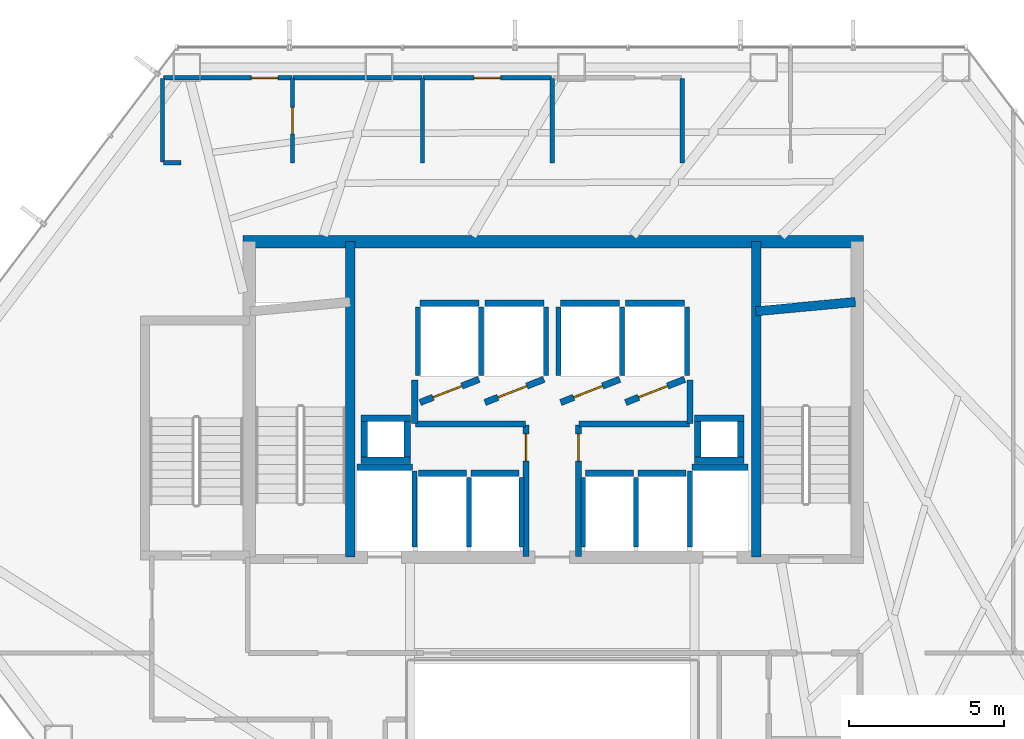
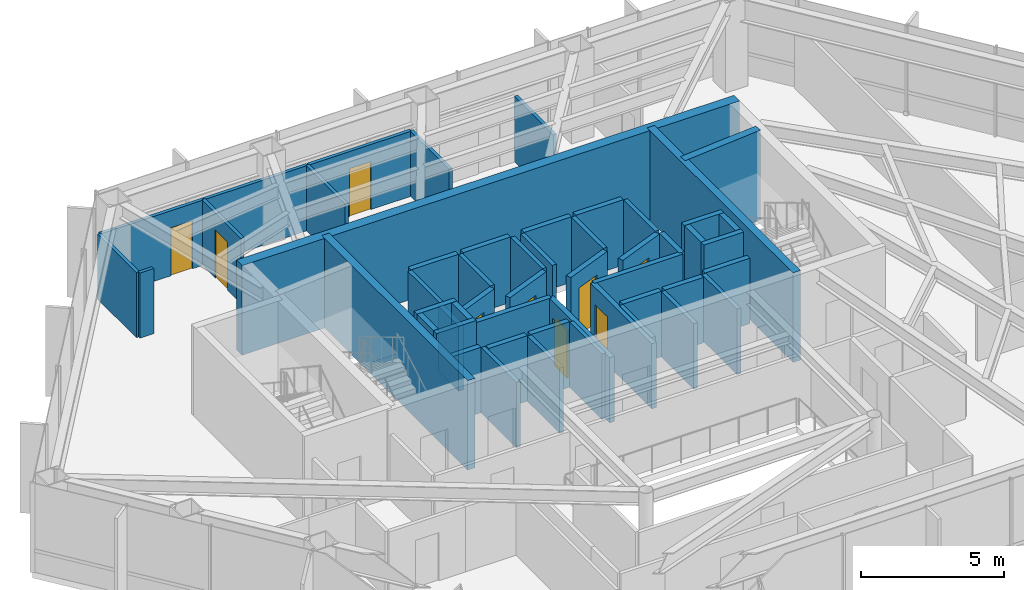
# One storey, part 22 of 24: 53 walls, 9 doors, 9 openings.
"""IFC4 building model written with IfcOpenShell, lengths in metres."""

from ifc_helpers import new_model, si_unit, direction, frame, frame_2d, origin, place, context, subcontext, project, spatial, rectangle, extrude, material, layer, layer_set, type_object, element, fill, save


model = new_model("IFC4")

# Units and contexts
model_context = context("Model", 3, precision=1e-05, world=origin(), true_north=direction((0.0, 1.0)))
body_context = subcontext(model_context, "Body", "Model", "MODEL_VIEW")
ifc_project = project(units=[si_unit("LENGTHUNIT", "METRE"), si_unit("AREAUNIT", "SQUARE_METRE"), si_unit("VOLUMEUNIT", "CUBIC_METRE"), si_unit("PLANEANGLEUNIT", "RADIAN"), si_unit("MASSUNIT", "GRAM", prefix="KILO")], contexts=[model_context])

# Site, building, storey
site_placement = place(None, origin())
site = spatial("IfcSite", under=ifc_project, at=site_placement, CompositionType="ELEMENT")
building_placement = place(site_placement, origin())
building = spatial("IfcBuilding", under=site, at=building_placement, Name="Zarrinselat Tower", CompositionType="ELEMENT")
storey_placement = place(building_placement, frame((0.0, 0.0, 72.419921875)))
storey = spatial("IfcBuildingStorey", under=building, at=storey_placement, Name="L17", CompositionType="ELEMENT", Elevation=72.419921875)

# Wall, opening, door
ifc_material_1 = material(Name="Concrete C40/50", Category="concrete")
ifc_layer_1 = layer(ifc_material_1, 0.199951171875)
ifc_layer_set_1 = layer_set([ifc_layer_1], Name="Concrete C40/50")
wall_type_1 = type_object("IfcWallType", Name="WAL-PART-PLANT", PredefinedType="PARTITIONING", material=ifc_layer_set_1)
wall_1_placement = place(storey_placement, frame((37.550048828125, 33.264892578125, 0.0), z_axis=(0.0, 0.0, 1.0), x_axis=(0.0, 1.0, 0.0)))
wall_1 = element("IfcWall", 1, at=wall_1_placement, inside=storey, type_object=wall_type_1, Name="L17 Partition Wall 1", PredefinedType="PARTITIONING", context=body_context, shape_type="SweptSolid", body=[
    extrude(rectangle(XDim=4.26513671875, YDim=0.199951171875, at=frame_2d((2.132568359375, 0.0))), origin(), (0.0, 0.0, 1.0), 2.777099609375),
])
opening_1_placement = place(wall_1_placement, frame((3.092529296875, 0.0, 0.0)))
opening_1 = element("IfcOpeningElement", 2, at=opening_1_placement, cuts=wall_1, Name="Opening ID-03", PredefinedType="OPENING", context=body_context, shape_type="SweptSolid", body=[
    extrude(rectangle(XDim=0.8798828125, YDim=2.050048828125, at=frame_2d((0.43994140625, 1.02490234375))), frame((0.0, 0.10986328125, 0.0), z_axis=(0.0, -1.0, 0.0), x_axis=(1.0, 0.0, 0.0)), (0.0, 0.0, 1.0), 0.219970703125),
])
ifc_material_2 = material(Name="Steel S355J2", Category="steel")
door_type_1 = type_object("IfcDoorType", Name="DR-INT-FD60-S", OperationType="NOTDEFINED", PredefinedType="DOOR", material=ifc_material_2)
door_1_placement = place(opening_1_placement, origin())
door_1 = element("IfcDoor", 3, at=door_1_placement, inside=storey, type_object=door_type_1, Name="L17 Interior Door P1", OperationType="SINGLE_SWING_LEFT", OverallHeight=2.050048828125, OverallWidth=0.8798828125, PredefinedType="DOOR", context=body_context, shape_type="SweptSolid", body=[
    extrude(rectangle(XDim=0.8798828125, YDim=2.050048828125, at=frame_2d((0.43994140625, 1.02490234375))), frame((0.0, 0.02490234375, 0.0), z_axis=(0.0, -1.0, 0.0), x_axis=(1.0, 0.0, 0.0)), (0.0, 0.0, 1.0), 0.050048828125),
])
fill(opening_1, door_1)

# Walls
wall_2_placement = place(storey_placement, frame((33.969970703125, 37.550048828125, 0.0), z_axis=(0.0, 0.0, 1.0), x_axis=(1.0, 0.0, 0.0)))
element("IfcWall", 4, at=wall_2_placement, inside=storey, type_object=wall_type_1, Name="L17 Partition Wall 2", PredefinedType="PARTITIONING", context=body_context, shape_type="SweptSolid", body=[
    extrude(rectangle(XDim=3.56005859375, YDim=0.199951171875, at=frame_2d((1.780029296875, 0.0))), origin(), (0.0, 0.0, 1.0), 2.777099609375),
])
for number, where, z_axis, x_axis, name in (
    (5, (33.949951171875, 37.570068359375, 0.0), (0.0, 0.0, 1.0), (0.0, 1.0, 0.0), "L17 Partition Wall 3"),
    (6, (42.85009765625, 37.570068359375, 0.0), (0.0, 0.0, 1.0), (0.0, 1.0, 0.0), "L17 Partition Wall 4"),
):
    element("IfcWall", number, at=place(storey_placement, frame(where, z_axis=z_axis, x_axis=x_axis)), inside=storey, type_object=wall_type_1, Name=name, PredefinedType="PARTITIONING", context=body_context, shape_type="SweptSolid", body=[
        extrude(rectangle(XDim=1.4150390625, YDim=0.199951171875, at=frame_2d((0.70751953125, 0.0))), origin(), (0.0, 0.0, 1.0), 2.777099609375),
    ])
wall_3_placement = place(storey_placement, frame((39.27001953125, 37.550048828125, 0.0), z_axis=(0.0, 0.0, 1.0), x_axis=(1.0, 0.0, 0.0)))
element("IfcWall", 7, at=wall_3_placement, inside=storey, type_object=wall_type_1, Name="L17 Partition Wall 5", PredefinedType="PARTITIONING", context=body_context, shape_type="SweptSolid", body=[
    extrude(rectangle(XDim=3.56005859375, YDim=0.199951171875, at=frame_2d((1.780029296875, 0.0))), origin(), (0.0, 0.0, 1.0), 2.777099609375),
])

# Wall, opening, door
wall_4_placement = place(storey_placement, frame((39.25, 33.264892578125, 0.0), z_axis=(0.0, 0.0, 1.0), x_axis=(0.0, 1.0, 0.0)))
wall_4 = element("IfcWall", 8, at=wall_4_placement, inside=storey, type_object=wall_type_1, Name="L17 Partition Wall 6", PredefinedType="PARTITIONING", context=body_context, shape_type="SweptSolid", body=[
    extrude(rectangle(XDim=4.26513671875, YDim=0.199951171875, at=frame_2d((2.132568359375, 0.0))), origin(), (0.0, 0.0, 1.0), 2.777099609375),
])
opening_2_placement = place(wall_4_placement, frame((3.092529296875, 0.0, 0.0)))
opening_2 = element("IfcOpeningElement", 9, at=opening_2_placement, cuts=wall_4, Name="Opening ID-03", PredefinedType="OPENING", context=body_context, shape_type="SweptSolid", body=[
    extrude(rectangle(XDim=0.8798828125, YDim=2.050048828125, at=frame_2d((0.43994140625, 1.02490234375))), frame((0.0, 0.10986328125, 0.0), z_axis=(0.0, -1.0, 0.0), x_axis=(1.0, 0.0, 0.0)), (0.0, 0.0, 1.0), 0.219970703125),
])
door_2_placement = place(opening_2_placement, origin())
door_2 = element("IfcDoor", 10, at=door_2_placement, inside=storey, type_object=door_type_1, Name="L17 Interior Door P6", OperationType="SINGLE_SWING_RIGHT", OverallHeight=2.050048828125, OverallWidth=0.8798828125, PredefinedType="DOOR", context=body_context, shape_type="SweptSolid", body=[
    extrude(rectangle(XDim=0.8798828125, YDim=2.050048828125, at=frame_2d((0.43994140625, 1.02490234375))), frame((0.0, 0.02490234375, 0.0), z_axis=(0.0, -1.0, 0.0), x_axis=(1.0, 0.0, 0.0)), (0.0, 0.0, 1.0), 0.050048828125),
])
fill(opening_2, door_2)

ifc_material_3 = material(Name="Fire-Rated Gypsum Board Partition", Category="gypsum")
ifc_layer_2 = layer(ifc_material_3, 0.135009765625)
ifc_layer_set_2 = layer_set([ifc_layer_2], Name="Fire-Rated Gypsum Board Partition")
wall_type_2 = type_object("IfcWallType", Name="WAL-PART-WET", PredefinedType="PARTITIONING", material=ifc_layer_set_2)
wall_5_placement = place(storey_placement, frame((30.0, 46.0, 0.0), z_axis=(0.0, 0.0, 1.0), x_axis=(0.0, 1.0, 0.0)))
wall_5 = element("IfcWall", 11, at=wall_5_placement, inside=storey, type_object=wall_type_2, Name="L17 Partition Wall 32", PredefinedType="PARTITIONING", context=body_context, shape_type="SweptSolid", body=[
    extrude(rectangle(XDim=2.72998046875, YDim=0.135009765625, at=frame_2d((1.364990234375, 0.0))), origin(), (0.0, 0.0, 1.0), 2.777099609375),
])
opening_3_placement = place(wall_5_placement, frame((0.93505859375, 0.0, 0.0)))
opening_3 = element("IfcOpeningElement", 12, at=opening_3_placement, cuts=wall_5, Name="Opening ID-06", PredefinedType="OPENING", context=body_context, shape_type="SweptSolid", body=[
    extrude(rectangle(XDim=0.860107421875, YDim=2.050048828125, at=frame_2d((0.43017578125, 1.02490234375))), frame((0.0, 0.077392578125, 0.0), z_axis=(0.0, -1.0, 0.0), x_axis=(1.0, 0.0, 0.0)), (0.0, 0.0, 1.0), 0.155029296875),
])
ifc_material_4 = material(Name="Extruded Aluminium Alloy EN AW-6063 T6", Category="aluminium")
door_type_2 = type_object("IfcDoorType", Name="DR-INT-WET-900", OperationType="NOTDEFINED", PredefinedType="DOOR", material=ifc_material_4)
door_3_placement = place(opening_3_placement, origin())
door_3 = element("IfcDoor", 13, at=door_3_placement, inside=storey, type_object=door_type_2, Name="L17 Interior Door P32", OperationType="SINGLE_SWING_RIGHT", OverallHeight=2.050048828125, OverallWidth=0.860107421875, PredefinedType="DOOR", context=body_context, shape_type="SweptSolid", body=[
    extrude(rectangle(XDim=0.860107421875, YDim=2.050048828125, at=frame_2d((0.43017578125, 1.02490234375))), frame((0.0, 0.02490234375, 0.0), z_axis=(0.0, -1.0, 0.0), x_axis=(1.0, 0.0, 0.0)), (0.0, 0.0, 1.0), 0.050048828125),
])
fill(opening_3, door_3)

# Wall
wall_6_placement = place(storey_placement, frame((25.800048828125, 46.02001953125, 0.0), z_axis=(0.0, 0.0, 1.0), x_axis=(0.0, 1.0, 0.0)))
element("IfcWall", 14, at=wall_6_placement, inside=storey, type_object=wall_type_2, Name="L17 Partition Wall 33", PredefinedType="PARTITIONING", context=body_context, shape_type="SweptSolid", body=[
    extrude(rectangle(XDim=2.7099609375, YDim=0.135009765625, at=frame_2d((1.35498046875, 0.0))), origin(), (0.0, 0.0, 1.0), 2.777099609375),
])

# Wall, opening, door
wall_7_placement = place(storey_placement, frame((25.820068359375, 48.75, 0.0), z_axis=(0.0, 0.0, 1.0), x_axis=(1.0, 0.0, 0.0)))
wall_7 = element("IfcWall", 15, at=wall_7_placement, inside=storey, type_object=wall_type_2, Name="L17 Partition Wall 34", PredefinedType="PARTITIONING", context=body_context, shape_type="SweptSolid", body=[
    extrude(rectangle(XDim=4.159912109375, YDim=0.135009765625, at=frame_2d((2.080078125, 0.0))), origin(), (0.0, 0.0, 1.0), 2.777099609375),
])
opening_4_placement = place(wall_7_placement, frame((2.85009765625, 0.0, 0.0)))
opening_4 = element("IfcOpeningElement", 16, at=opening_4_placement, cuts=wall_7, Name="Opening ID-06", PredefinedType="OPENING", context=body_context, shape_type="SweptSolid", body=[
    extrude(rectangle(XDim=0.860107421875, YDim=2.050048828125, at=frame_2d((0.43017578125, 1.02490234375))), frame((0.0, 0.077392578125, 0.0), z_axis=(0.0, -1.0, 0.0), x_axis=(1.0, 0.0, 0.0)), (0.0, 0.0, 1.0), 0.155029296875),
])
door_4_placement = place(opening_4_placement, origin())
door_4 = element("IfcDoor", 17, at=door_4_placement, inside=storey, type_object=door_type_2, Name="L17 Interior Door P34", OperationType="SINGLE_SWING_LEFT", OverallHeight=2.050048828125, OverallWidth=0.860107421875, PredefinedType="DOOR", context=body_context, shape_type="SweptSolid", body=[
    extrude(rectangle(XDim=0.860107421875, YDim=2.050048828125, at=frame_2d((0.43017578125, 1.02490234375))), frame((0.0, 0.02490234375, 0.0), z_axis=(0.0, -1.0, 0.0), x_axis=(1.0, 0.0, 0.0)), (0.0, 0.0, 1.0), 0.050048828125),
])
fill(opening_4, door_4)

# Walls
wall_8_placement = place(storey_placement, frame((25.820068359375, 46.0, 0.0), z_axis=(0.0, 0.0, 1.0), x_axis=(1.0, 0.0, 0.0)))
element("IfcWall", 18, at=wall_8_placement, inside=storey, type_object=wall_type_2, Name="L17 Partition Wall 35", PredefinedType="PARTITIONING", context=body_context, shape_type="SweptSolid", body=[
    extrude(rectangle(XDim=0.570556640625, YDim=0.135009765625, at=frame_2d((0.28515625, 0.0))), origin(), (0.0, 0.0, 1.0), 2.777099609375),
])
wall_9_placement = place(storey_placement, frame((34.199951171875, 46.0, 0.0), z_axis=(0.0, 0.0, 1.0), x_axis=(0.0, 1.0, 0.0)))
element("IfcWall", 19, at=wall_9_placement, inside=storey, type_object=wall_type_2, Name="L17 Partition Wall 36", PredefinedType="PARTITIONING", context=body_context, shape_type="SweptSolid", body=[
    extrude(rectangle(XDim=2.72998046875, YDim=0.135009765625, at=frame_2d((1.364990234375, 0.0))), origin(), (0.0, 0.0, 1.0), 2.777099609375),
])
wall_10_placement = place(storey_placement, frame((30.02001953125, 48.75, 0.0), z_axis=(0.0, 0.0, 1.0), x_axis=(1.0, 0.0, 0.0)))
element("IfcWall", 20, at=wall_10_placement, inside=storey, type_object=wall_type_2, Name="L17 Partition Wall 37", PredefinedType="PARTITIONING", context=body_context, shape_type="SweptSolid", body=[
    extrude(rectangle(XDim=4.159912109375, YDim=0.135009765625, at=frame_2d((2.080078125, 0.0))), origin(), (0.0, 0.0, 1.0), 2.777099609375),
])
wall_11_placement = place(storey_placement, frame((38.39990234375, 46.0, 0.0), z_axis=(0.0, 0.0, 1.0), x_axis=(0.0, 1.0, 0.0)))
element("IfcWall", 21, at=wall_11_placement, inside=storey, type_object=wall_type_2, Name="L17 Partition Wall 38", PredefinedType="PARTITIONING", context=body_context, shape_type="SweptSolid", body=[
    extrude(rectangle(XDim=2.72998046875, YDim=0.135009765625, at=frame_2d((1.364990234375, 0.0))), origin(), (0.0, 0.0, 1.0), 2.777099609375),
])

# Wall, opening, door
wall_12_placement = place(storey_placement, frame((34.219970703125, 48.75, 0.0), z_axis=(0.0, 0.0, 1.0), x_axis=(1.0, 0.0, 0.0)))
wall_12 = element("IfcWall", 22, at=wall_12_placement, inside=storey, type_object=wall_type_2, Name="L17 Partition Wall 39", PredefinedType="PARTITIONING", context=body_context, shape_type="SweptSolid", body=[
    extrude(rectangle(XDim=4.159912109375, YDim=0.135009765625, at=frame_2d((2.080078125, 0.0))), origin(), (0.0, 0.0, 1.0), 2.777099609375),
])
opening_5_placement = place(wall_12_placement, frame((1.64990234375, 0.0, 0.0)))
opening_5 = element("IfcOpeningElement", 23, at=opening_5_placement, cuts=wall_12, Name="Opening ID-06", PredefinedType="OPENING", context=body_context, shape_type="SweptSolid", body=[
    extrude(rectangle(XDim=0.860107421875, YDim=2.050048828125, at=frame_2d((0.43017578125, 1.02490234375))), frame((0.0, 0.077392578125, 0.0), z_axis=(0.0, -1.0, 0.0), x_axis=(1.0, 0.0, 0.0)), (0.0, 0.0, 1.0), 0.155029296875),
])
door_5_placement = place(opening_5_placement, origin())
door_5 = element("IfcDoor", 24, at=door_5_placement, inside=storey, type_object=door_type_2, Name="L17 Interior Door P39", OperationType="SINGLE_SWING_RIGHT", OverallHeight=2.050048828125, OverallWidth=0.860107421875, PredefinedType="DOOR", context=body_context, shape_type="SweptSolid", body=[
    extrude(rectangle(XDim=0.860107421875, YDim=2.050048828125, at=frame_2d((0.43017578125, 1.02490234375))), frame((0.0, 0.02490234375, 0.0), z_axis=(0.0, -1.0, 0.0), x_axis=(1.0, 0.0, 0.0)), (0.0, 0.0, 1.0), 0.050048828125),
])
fill(opening_5, door_5)

# Walls
wall_13_placement = place(storey_placement, frame((42.60009765625, 46.0, 0.0), z_axis=(0.0, 0.0, 1.0), x_axis=(0.0, 1.0, 0.0)))
element("IfcWall", 25, at=wall_13_placement, inside=storey, type_object=wall_type_2, Name="L17 Partition Wall 41", PredefinedType="PARTITIONING", context=body_context, shape_type="SweptSolid", body=[
    extrude(rectangle(XDim=2.72998046875, YDim=0.135009765625, at=frame_2d((1.364990234375, 0.0))), origin(), (0.0, 0.0, 1.0), 2.777099609375),
])
ifc_material_5 = material(Name="Concrete C40/50", Category="concrete")
ifc_layer_3 = layer(ifc_material_5, 0.2099609375)
ifc_layer_set_3 = layer_set([ifc_layer_3], Name="Concrete C40/50")
wall_type_3 = type_object("IfcWallType", Name="WAL-SHAFT-210", PredefinedType="SOLIDWALL", material=ifc_layer_set_3)
wall_14_placement = place(storey_placement, frame((32.080078125, 36.155029296875, 0.0), z_axis=(0.0, 0.0, 1.0), x_axis=(1.0, 0.0, 0.0)))
element("IfcWall", 26, at=wall_14_placement, inside=storey, type_object=wall_type_3, Name="L17 Lift FFL1 North Shaft Wall", PredefinedType="SOLIDWALL", context=body_context, shape_type="SweptSolid", body=[
    extrude(rectangle(XDim=1.7998046875, YDim=0.2099609375, at=frame_2d((0.89990234375, 0.0))), origin(), (0.0, 0.0, 1.0), 2.7919921875),
])
wall_15_placement = place(storey_placement, frame((33.949951171875, 33.580078125, 0.0), z_axis=(0.0, 0.0, 1.0), x_axis=(0.0, 1.0, 0.0)))
element("IfcWall", 27, at=wall_15_placement, inside=storey, type_object=wall_type_3, Name="L17 Lift FFL1 E Shaft Wall", PredefinedType="SOLIDWALL", context=body_context, shape_type="SweptSolid", body=[
    extrude(rectangle(XDim=2.449951171875, YDim=0.159912109375, at=frame_2d((1.22509765625, 0.0))), origin(), (0.0, 0.0, 1.0), 2.7919921875),
])
wall_16_placement = place(storey_placement, frame((42.919921875, 36.155029296875, 0.0), z_axis=(0.0, 0.0, 1.0), x_axis=(1.0, 0.0, 0.0)))
element("IfcWall", 28, at=wall_16_placement, inside=storey, type_object=wall_type_3, Name="L17 Lift FFL2 North Shaft Wall", PredefinedType="SOLIDWALL", context=body_context, shape_type="SweptSolid", body=[
    extrude(rectangle(XDim=1.800048828125, YDim=0.2099609375, at=frame_2d((0.89990234375, 0.0))), origin(), (0.0, 0.0, 1.0), 2.7919921875),
])
wall_17_placement = place(storey_placement, frame((42.85009765625, 33.580078125, 0.0), z_axis=(0.0, 0.0, 1.0), x_axis=(0.0, 1.0, 0.0)))
element("IfcWall", 29, at=wall_17_placement, inside=storey, type_object=wall_type_3, Name="L17 Lift FFL2 W Shaft Wall", PredefinedType="SOLIDWALL", context=body_context, shape_type="SweptSolid", body=[
    extrude(rectangle(XDim=2.449951171875, YDim=0.159912109375, at=frame_2d((1.22509765625, 0.0))), origin(), (0.0, 0.0, 1.0), 2.7919921875),
])

# Wall, opening, door
wall_18_placement = place(storey_placement, frame((34.1201171875, 38.25, 0.0), z_axis=(0.0, 0.0, 1.0), x_axis=(0.930804993012, 0.36551616241, 0.0)))
wall_18 = element("IfcWall", 30, at=wall_18_placement, inside=storey, type_object=wall_type_3, Name="L17 Lift PL1 Front Shaft Wall", PredefinedType="SOLIDWALL", context=body_context, shape_type="SweptSolid", body=[
    extrude(rectangle(XDim=2.052001953125, YDim=0.2099609375, at=frame_2d((1.02587890625, 0.0))), origin(), (0.0, 0.0, 1.0), 2.7919921875),
])
opening_6_placement = place(wall_18_placement, frame((0.455078125, 0.0, 0.0)))
opening_6 = element("IfcOpeningElement", 31, at=opening_6_placement, cuts=wall_18, Name="Opening LD-PL1", PredefinedType="OPENING", context=body_context, shape_type="SweptSolid", body=[
    extrude(rectangle(XDim=1.0, YDim=2.10009765625, at=frame_2d((0.5, 1.050048828125))), frame((0.0, 0.114990234375, 0.0), z_axis=(0.0, -1.0, 0.0), x_axis=(1.0, 0.0, 0.0)), (0.0, 0.0, 1.0), 0.22998046875),
])
ifc_material_6 = material(Name="Steel S355J2", Category="steel")
door_type_3 = type_object("IfcDoorType", Name="DR-LIFT-PS-1000", OperationType="NOTDEFINED", PredefinedType="DOOR", material=ifc_material_6)
door_6_placement = place(opening_6_placement, origin())
door_6 = element("IfcDoor", 32, at=door_6_placement, inside=storey, type_object=door_type_3, Name="L17 Lift PL1 Sliding Landing Door", OperationType="SLIDING_TO_LEFT", OverallHeight=2.10009765625, OverallWidth=1.0, PredefinedType="DOOR", context=body_context, shape_type="SweptSolid", body=[
    extrude(rectangle(XDim=1.0, YDim=2.10009765625, at=frame_2d((0.5, 1.050048828125))), frame((0.0, 0.02490234375, 0.0), z_axis=(0.0, -1.0, 0.0), x_axis=(1.0, 0.0, 0.0)), (0.0, 0.0, 1.0), 0.050048828125),
])
fill(opening_6, door_6)

# Walls
wall_19_placement = place(storey_placement, frame((34.1201171875, 41.455078125, 0.0), z_axis=(0.0, 0.0, 1.0), x_axis=(1.0, 0.0, 0.0)))
element("IfcWall", 33, at=wall_19_placement, inside=storey, type_object=wall_type_3, Name="L17 Lift PL1 Rear Shaft Wall", PredefinedType="SOLIDWALL", context=body_context, shape_type="SweptSolid", body=[
    extrude(rectangle(XDim=1.909912109375, YDim=0.2099609375, at=frame_2d((0.955078125, 0.0))), origin(), (0.0, 0.0, 1.0), 2.7919921875),
])
for number, where, z_axis, x_axis, name in (
    (34, (34.050048828125, 39.1201171875, 0.0), (0.0, 0.0, 1.0), (0.0, 1.0, 0.0), "L17 Lift PL1 W Shaft Wall"),
    (35, (36.10009765625, 39.1201171875, 0.0), (0.0, 0.0, 1.0), (0.0, 1.0, 0.0), "L17 Lift PL1 E Shaft Wall"),
):
    element("IfcWall", number, at=place(storey_placement, frame(where, z_axis=z_axis, x_axis=x_axis)), inside=storey, type_object=wall_type_3, Name=name, PredefinedType="SOLIDWALL", context=body_context, shape_type="SweptSolid", body=[
        extrude(rectangle(XDim=2.2099609375, YDim=0.159912109375, at=frame_2d((1.10498046875, 0.0))), origin(), (0.0, 0.0, 1.0), 2.7919921875),
    ])

# Wall, opening, door
wall_20_placement = place(storey_placement, frame((36.219970703125, 38.25, 0.0), z_axis=(0.0, 0.0, 1.0), x_axis=(0.930804993012, 0.36551616241, 0.0)))
wall_20 = element("IfcWall", 36, at=wall_20_placement, inside=storey, type_object=wall_type_3, Name="L17 Lift PL2 Front Shaft Wall", PredefinedType="SOLIDWALL", context=body_context, shape_type="SweptSolid", body=[
    extrude(rectangle(XDim=2.052001953125, YDim=0.2099609375, at=frame_2d((1.02587890625, 0.0))), origin(), (0.0, 0.0, 1.0), 2.7919921875),
])
opening_7_placement = place(wall_20_placement, frame((0.455078125, 0.0, 0.0)))
opening_7 = element("IfcOpeningElement", 37, at=opening_7_placement, cuts=wall_20, Name="Opening LD-PL2", PredefinedType="OPENING", context=body_context, shape_type="SweptSolid", body=[
    extrude(rectangle(XDim=1.0, YDim=2.10009765625, at=frame_2d((0.5, 1.050048828125))), frame((0.0, 0.114990234375, 0.0), z_axis=(0.0, -1.0, 0.0), x_axis=(1.0, 0.0, 0.0)), (0.0, 0.0, 1.0), 0.22998046875),
])
door_7_placement = place(opening_7_placement, origin())
door_7 = element("IfcDoor", 38, at=door_7_placement, inside=storey, type_object=door_type_3, Name="L17 Lift PL2 Sliding Landing Door", OperationType="SLIDING_TO_RIGHT", OverallHeight=2.10009765625, OverallWidth=1.0, PredefinedType="DOOR", context=body_context, shape_type="SweptSolid", body=[
    extrude(rectangle(XDim=1.0, YDim=2.10009765625, at=frame_2d((0.5, 1.050048828125))), frame((0.0, 0.02490234375, 0.0), z_axis=(0.0, -1.0, 0.0), x_axis=(1.0, 0.0, 0.0)), (0.0, 0.0, 1.0), 0.050048828125),
])
fill(opening_7, door_7)

# Walls
wall_21_placement = place(storey_placement, frame((36.219970703125, 41.455078125, 0.0), z_axis=(0.0, 0.0, 1.0), x_axis=(1.0, 0.0, 0.0)))
element("IfcWall", 39, at=wall_21_placement, inside=storey, type_object=wall_type_3, Name="L17 Lift PL2 Rear Shaft Wall", PredefinedType="SOLIDWALL", context=body_context, shape_type="SweptSolid", body=[
    extrude(rectangle(XDim=1.909912109375, YDim=0.2099609375, at=frame_2d((0.955078125, 0.0))), origin(), (0.0, 0.0, 1.0), 2.7919921875),
])
wall_22_placement = place(storey_placement, frame((38.199951171875, 39.1201171875, 0.0), z_axis=(0.0, 0.0, 1.0), x_axis=(0.0, 1.0, 0.0)))
element("IfcWall", 40, at=wall_22_placement, inside=storey, type_object=wall_type_3, Name="L17 Lift PL2 E Shaft Wall", PredefinedType="SOLIDWALL", context=body_context, shape_type="SweptSolid", body=[
    extrude(rectangle(XDim=2.2099609375, YDim=0.159912109375, at=frame_2d((1.10498046875, 0.0))), origin(), (0.0, 0.0, 1.0), 2.7919921875),
])

# Wall, opening, door
wall_23_placement = place(storey_placement, frame((38.669921875, 38.25, 0.0), z_axis=(0.0, 0.0, 1.0), x_axis=(0.930820886763, 0.3654756856, 0.0)))
wall_23 = element("IfcWall", 41, at=wall_23_placement, inside=storey, type_object=wall_type_3, Name="L17 Lift PL3 Front Shaft Wall", PredefinedType="SOLIDWALL", context=body_context, shape_type="SweptSolid", body=[
    extrude(rectangle(XDim=2.052001953125, YDim=0.2099609375, at=frame_2d((1.02587890625, 0.0))), origin(), (0.0, 0.0, 1.0), 2.7919921875),
])
opening_8_placement = place(wall_23_placement, frame((0.455078125, 0.0, 0.0)))
opening_8 = element("IfcOpeningElement", 42, at=opening_8_placement, cuts=wall_23, Name="Opening LD-PL3", PredefinedType="OPENING", context=body_context, shape_type="SweptSolid", body=[
    extrude(rectangle(XDim=1.0, YDim=2.10009765625, at=frame_2d((0.5, 1.050048828125))), frame((0.0, 0.114990234375, 0.0), z_axis=(0.0, -1.0, 0.0), x_axis=(1.0, 0.0, 0.0)), (0.0, 0.0, 1.0), 0.22998046875),
])
door_8_placement = place(opening_8_placement, origin())
door_8 = element("IfcDoor", 43, at=door_8_placement, inside=storey, type_object=door_type_3, Name="L17 Lift PL3 Sliding Landing Door", OperationType="SLIDING_TO_LEFT", OverallHeight=2.10009765625, OverallWidth=1.0, PredefinedType="DOOR", context=body_context, shape_type="SweptSolid", body=[
    extrude(rectangle(XDim=1.0, YDim=2.10009765625, at=frame_2d((0.5, 1.050048828125))), frame((0.0, 0.02490234375, 0.0), z_axis=(0.0, -1.0, 0.0), x_axis=(1.0, 0.0, 0.0)), (0.0, 0.0, 1.0), 0.050048828125),
])
fill(opening_8, door_8)

# Walls
wall_24_placement = place(storey_placement, frame((38.669921875, 41.455078125, 0.0), z_axis=(0.0, 0.0, 1.0), x_axis=(1.0, 0.0, 0.0)))
element("IfcWall", 44, at=wall_24_placement, inside=storey, type_object=wall_type_3, Name="L17 Lift PL3 Rear Shaft Wall", PredefinedType="SOLIDWALL", context=body_context, shape_type="SweptSolid", body=[
    extrude(rectangle(XDim=1.91015625, YDim=0.2099609375, at=frame_2d((0.955078125, 0.0))), origin(), (0.0, 0.0, 1.0), 2.7919921875),
])
for number, where, z_axis, x_axis, name in (
    (45, (38.60009765625, 39.1201171875, 0.0), (0.0, 0.0, 1.0), (0.0, 1.0, 0.0), "L17 Lift PL3 W Shaft Wall"),
    (46, (40.64990234375, 39.1201171875, 0.0), (0.0, 0.0, 1.0), (0.0, 1.0, 0.0), "L17 Lift PL3 E Shaft Wall"),
):
    element("IfcWall", number, at=place(storey_placement, frame(where, z_axis=z_axis, x_axis=x_axis)), inside=storey, type_object=wall_type_3, Name=name, PredefinedType="SOLIDWALL", context=body_context, shape_type="SweptSolid", body=[
        extrude(rectangle(XDim=2.2099609375, YDim=0.159912109375, at=frame_2d((1.10498046875, 0.0))), origin(), (0.0, 0.0, 1.0), 2.7919921875),
    ])

# Wall, opening, door
wall_25_placement = place(storey_placement, frame((40.77001953125, 38.25, 0.0), z_axis=(0.0, 0.0, 1.0), x_axis=(0.930804993012, 0.36551616241, 0.0)))
wall_25 = element("IfcWall", 47, at=wall_25_placement, inside=storey, type_object=wall_type_3, Name="L17 Lift PL4 Front Shaft Wall", PredefinedType="SOLIDWALL", context=body_context, shape_type="SweptSolid", body=[
    extrude(rectangle(XDim=2.052001953125, YDim=0.2099609375, at=frame_2d((1.02587890625, 0.0))), origin(), (0.0, 0.0, 1.0), 2.7919921875),
])
opening_9_placement = place(wall_25_placement, frame((0.455078125, 0.0, 0.0)))
opening_9 = element("IfcOpeningElement", 48, at=opening_9_placement, cuts=wall_25, Name="Opening LD-PL4", PredefinedType="OPENING", context=body_context, shape_type="SweptSolid", body=[
    extrude(rectangle(XDim=1.0, YDim=2.10009765625, at=frame_2d((0.5, 1.050048828125))), frame((0.0, 0.114990234375, 0.0), z_axis=(0.0, -1.0, 0.0), x_axis=(1.0, 0.0, 0.0)), (0.0, 0.0, 1.0), 0.22998046875),
])
door_9_placement = place(opening_9_placement, origin())
door_9 = element("IfcDoor", 49, at=door_9_placement, inside=storey, type_object=door_type_3, Name="L17 Lift PL4 Sliding Landing Door", OperationType="SLIDING_TO_RIGHT", OverallHeight=2.10009765625, OverallWidth=1.0, PredefinedType="DOOR", context=body_context, shape_type="SweptSolid", body=[
    extrude(rectangle(XDim=1.0, YDim=2.10009765625, at=frame_2d((0.5, 1.050048828125))), frame((0.0, 0.02490234375, 0.0), z_axis=(0.0, -1.0, 0.0), x_axis=(1.0, 0.0, 0.0)), (0.0, 0.0, 1.0), 0.050048828125),
])
fill(opening_9, door_9)

# Walls
wall_26_placement = place(storey_placement, frame((40.77001953125, 41.455078125, 0.0), z_axis=(0.0, 0.0, 1.0), x_axis=(1.0, 0.0, 0.0)))
element("IfcWall", 50, at=wall_26_placement, inside=storey, type_object=wall_type_3, Name="L17 Lift PL4 Rear Shaft Wall", PredefinedType="SOLIDWALL", context=body_context, shape_type="SweptSolid", body=[
    extrude(rectangle(XDim=1.909912109375, YDim=0.2099609375, at=frame_2d((0.955078125, 0.0))), origin(), (0.0, 0.0, 1.0), 2.7919921875),
])
wall_27_placement = place(storey_placement, frame((42.75, 39.1201171875, 0.0), z_axis=(0.0, 0.0, 1.0), x_axis=(0.0, 1.0, 0.0)))
element("IfcWall", 51, at=wall_27_placement, inside=storey, type_object=wall_type_3, Name="L17 Lift PL4 E Shaft Wall", PredefinedType="SOLIDWALL", context=body_context, shape_type="SweptSolid", body=[
    extrude(rectangle(XDim=2.2099609375, YDim=0.159912109375, at=frame_2d((1.10498046875, 0.0))), origin(), (0.0, 0.0, 1.0), 2.7919921875),
])
wall_28_placement = place(storey_placement, frame((34.070068359375, 35.955078125, 0.0), z_axis=(0.0, 0.0, 1.0), x_axis=(1.0, 0.0, 0.0)))
element("IfcWall", 52, at=wall_28_placement, inside=storey, type_object=wall_type_3, Name="L17 Lift PL5 North Shaft Wall", PredefinedType="SOLIDWALL", context=body_context, shape_type="SweptSolid", body=[
    extrude(rectangle(XDim=1.559814453125, YDim=0.2099609375, at=frame_2d((0.77978515625, 0.0))), origin(), (0.0, 0.0, 1.0), 2.7919921875),
])
wall_29_placement = place(storey_placement, frame((35.699951171875, 33.580078125, 0.0), z_axis=(0.0, 0.0, 1.0), x_axis=(0.0, 1.0, 0.0)))
element("IfcWall", 53, at=wall_29_placement, inside=storey, type_object=wall_type_3, Name="L17 Lift PL5 E Shaft Wall", PredefinedType="SOLIDWALL", context=body_context, shape_type="SweptSolid", body=[
    extrude(rectangle(XDim=2.25, YDim=0.159912109375, at=frame_2d((1.125, 0.0))), origin(), (0.0, 0.0, 1.0), 2.7919921875),
])
wall_30_placement = place(storey_placement, frame((35.77001953125, 35.955078125, 0.0), z_axis=(0.0, 0.0, 1.0), x_axis=(1.0, 0.0, 0.0)))
element("IfcWall", 54, at=wall_30_placement, inside=storey, type_object=wall_type_3, Name="L17 Lift PL6 North Shaft Wall", PredefinedType="SOLIDWALL", context=body_context, shape_type="SweptSolid", body=[
    extrude(rectangle(XDim=1.56005859375, YDim=0.2099609375, at=frame_2d((0.780029296875, 0.0))), origin(), (0.0, 0.0, 1.0), 2.7919921875),
])
wall_31_placement = place(storey_placement, frame((37.39990234375, 33.580078125, 0.0), z_axis=(0.0, 0.0, 1.0), x_axis=(0.0, 1.0, 0.0)))
element("IfcWall", 55, at=wall_31_placement, inside=storey, type_object=wall_type_3, Name="L17 Lift PL6 E Shaft Wall", PredefinedType="SOLIDWALL", context=body_context, shape_type="SweptSolid", body=[
    extrude(rectangle(XDim=2.25, YDim=0.159912109375, at=frame_2d((1.125, 0.0))), origin(), (0.0, 0.0, 1.0), 2.7919921875),
])
wall_32_placement = place(storey_placement, frame((39.469970703125, 35.955078125, 0.0), z_axis=(0.0, 0.0, 1.0), x_axis=(1.0, 0.0, 0.0)))
element("IfcWall", 56, at=wall_32_placement, inside=storey, type_object=wall_type_3, Name="L17 Lift PL8 North Shaft Wall", PredefinedType="SOLIDWALL", context=body_context, shape_type="SweptSolid", body=[
    extrude(rectangle(XDim=1.56005859375, YDim=0.2099609375, at=frame_2d((0.780029296875, 0.0))), origin(), (0.0, 0.0, 1.0), 2.7919921875),
])
for number, where, z_axis, x_axis, name in (
    (57, (39.39990234375, 33.580078125, 0.0), (0.0, 0.0, 1.0), (0.0, 1.0, 0.0), "L17 Lift PL8 W Shaft Wall"),
    (58, (41.10009765625, 33.580078125, 0.0), (0.0, 0.0, 1.0), (0.0, 1.0, 0.0), "L17 Lift PL8 E Shaft Wall"),
):
    element("IfcWall", number, at=place(storey_placement, frame(where, z_axis=z_axis, x_axis=x_axis)), inside=storey, type_object=wall_type_3, Name=name, PredefinedType="SOLIDWALL", context=body_context, shape_type="SweptSolid", body=[
        extrude(rectangle(XDim=2.25, YDim=0.159912109375, at=frame_2d((1.125, 0.0))), origin(), (0.0, 0.0, 1.0), 2.7919921875),
    ])
wall_33_placement = place(storey_placement, frame((41.169921875, 35.955078125, 0.0), z_axis=(0.0, 0.0, 1.0), x_axis=(1.0, 0.0, 0.0)))
element("IfcWall", 59, at=wall_33_placement, inside=storey, type_object=wall_type_3, Name="L17 Lift PL9 North Shaft Wall", PredefinedType="SOLIDWALL", context=body_context, shape_type="SweptSolid", body=[
    extrude(rectangle(XDim=1.56005859375, YDim=0.2099609375, at=frame_2d((0.780029296875, 0.0))), origin(), (0.0, 0.0, 1.0), 2.7919921875),
])
for number, where, z_axis, x_axis, name in (
    (60, (32.2099609375, 36.375, 0.0), (0.0, 0.0, 1.0), (1.0, 0.0, 0.0), "L17 Core Riser RSR-W S Shaft Wall"),
    (61, (32.2099609375, 37.7451171875, 0.0), (0.0, 0.0, 1.0), (1.0, 0.0, 0.0), "L17 Core Riser RSR-W N Shaft Wall"),
):
    element("IfcWall", number, at=place(storey_placement, frame(where, z_axis=z_axis, x_axis=x_axis)), inside=storey, type_object=wall_type_3, Name=name, PredefinedType="SOLIDWALL", context=body_context, shape_type="SweptSolid", body=[
        extrude(rectangle(XDim=1.60009765625, YDim=0.2099609375, at=frame_2d((0.800048828125, 0.0))), origin(), (0.0, 0.0, 1.0), 3.820068359375),
    ])
for number, where, z_axis, x_axis, name in (
    (62, (32.31494140625, 36.485107421875, 0.0), (0.0, 0.0, 1.0), (0.0, 1.0, 0.0), "L17 Core Riser RSR-W W Shaft Wall"),
    (63, (33.705078125, 36.485107421875, 0.0), (0.0, 0.0, 1.0), (0.0, 1.0, 0.0), "L17 Core Riser RSR-W E Shaft Wall"),
):
    element("IfcWall", number, at=place(storey_placement, frame(where, z_axis=z_axis, x_axis=x_axis)), inside=storey, type_object=wall_type_3, Name=name, PredefinedType="SOLIDWALL", context=body_context, shape_type="SweptSolid", body=[
        extrude(rectangle(XDim=1.14990234375, YDim=0.2099609375, at=frame_2d((0.574951171875, 0.0))), origin(), (0.0, 0.0, 1.0), 3.820068359375),
    ])
for number, where, z_axis, x_axis, name in (
    (64, (42.989990234375, 36.375, 0.0), (0.0, 0.0, 1.0), (1.0, 0.0, 0.0), "L17 Core Riser RSR-E S Shaft Wall"),
    (65, (42.989990234375, 37.7451171875, 0.0), (0.0, 0.0, 1.0), (1.0, 0.0, 0.0), "L17 Core Riser RSR-E N Shaft Wall"),
):
    element("IfcWall", number, at=place(storey_placement, frame(where, z_axis=z_axis, x_axis=x_axis)), inside=storey, type_object=wall_type_3, Name=name, PredefinedType="SOLIDWALL", context=body_context, shape_type="SweptSolid", body=[
        extrude(rectangle(XDim=1.60009765625, YDim=0.2099609375, at=frame_2d((0.800048828125, 0.0))), origin(), (0.0, 0.0, 1.0), 3.820068359375),
    ])
for number, where, z_axis, x_axis, name in (
    (66, (43.094970703125, 36.485107421875, 0.0), (0.0, 0.0, 1.0), (0.0, 1.0, 0.0), "L17 Core Riser RSR-E W Shaft Wall"),
    (67, (44.485107421875, 36.485107421875, 0.0), (0.0, 0.0, 1.0), (0.0, 1.0, 0.0), "L17 Core Riser RSR-E E Shaft Wall"),
):
    element("IfcWall", number, at=place(storey_placement, frame(where, z_axis=z_axis, x_axis=x_axis)), inside=storey, type_object=wall_type_3, Name=name, PredefinedType="SOLIDWALL", context=body_context, shape_type="SweptSolid", body=[
        extrude(rectangle(XDim=1.14990234375, YDim=0.2099609375, at=frame_2d((0.574951171875, 0.0))), origin(), (0.0, 0.0, 1.0), 3.820068359375),
    ])
ifc_material_7 = material(Name="Concrete C40/50", Category="concrete")
ifc_layer_4 = layer(ifc_material_7, 0.300048828125)
ifc_layer_set_4 = layer_set([ifc_layer_4], Name="Concrete C40/50")
wall_type_4 = type_object("IfcWallType", Name="WAL-SHEAR-300", PredefinedType="SHEAR", material=ifc_layer_set_4)
for number, where, z_axis, x_axis, name in (
    (68, (31.8701171875, 33.25, 0.0), (0.0, 0.0, 1.0), (0.0, 1.0, 0.0), "L17 Core Shear Wall ST1E"),
    (69, (44.989990234375, 33.25, 0.0), (0.0, 0.0, 1.0), (0.0, 1.0, 0.0), "L17 Core Shear Wall ST2W"),
):
    element("IfcWall", number, at=place(storey_placement, frame(where, z_axis=z_axis, x_axis=x_axis)), inside=storey, type_object=wall_type_4, Name=name, PredefinedType="SHEAR", context=body_context, shape_type="SweptSolid", body=[
        extrude(rectangle(XDim=10.199951171875, YDim=0.300048828125, at=frame_2d((5.10009765625, 0.0))), origin(), (0.0, 0.0, 1.0), 3.820068359375),
    ])
wall_34_placement = place(storey_placement, frame((44.97998046875, 41.199951171875, 0.0), z_axis=(0.0, 0.0, 1.0), x_axis=(0.995686468965, 0.09278176286, 0.0)))
element("IfcWall", 70, at=wall_34_placement, inside=storey, type_object=wall_type_4, Name="L17 Stair 2 North Shaft Wall", PredefinedType="SHEAR", context=body_context, shape_type="SweptSolid", body=[
    extrude(rectangle(XDim=3.23388671875, YDim=0.300048828125, at=frame_2d((1.616943359375, 0.0))), origin(), (0.0, 0.0, 1.0), 3.820068359375),
])
ifc_material_8 = material(Name="Concrete C60/75", Category="concrete")
ifc_layer_5 = layer(ifc_material_8, 0.39990234375)
ifc_layer_set_5 = layer_set([ifc_layer_5], Name="Concrete C60/75")
wall_type_5 = type_object("IfcWallType", Name="WAL-SHEAR-400", PredefinedType="SHEAR", material=ifc_layer_set_5)
wall_35_placement = place(storey_placement, frame((28.39990234375, 43.449951171875, 0.0), z_axis=(0.0, 0.0, 1.0), x_axis=(1.0, 0.0, 0.0)))
element("IfcWall", 71, at=wall_35_placement, inside=storey, type_object=wall_type_5, Name="L17 North Core Shear Wall", PredefinedType="SHEAR", context=body_context, shape_type="SweptSolid", body=[
    extrude(rectangle(XDim=20.06005859375, YDim=0.39990234375, at=frame_2d((10.030029296875, 0.0))), origin(), (0.0, 0.0, 1.0), 3.820068359375),
])

save(model, "model.ifc")
